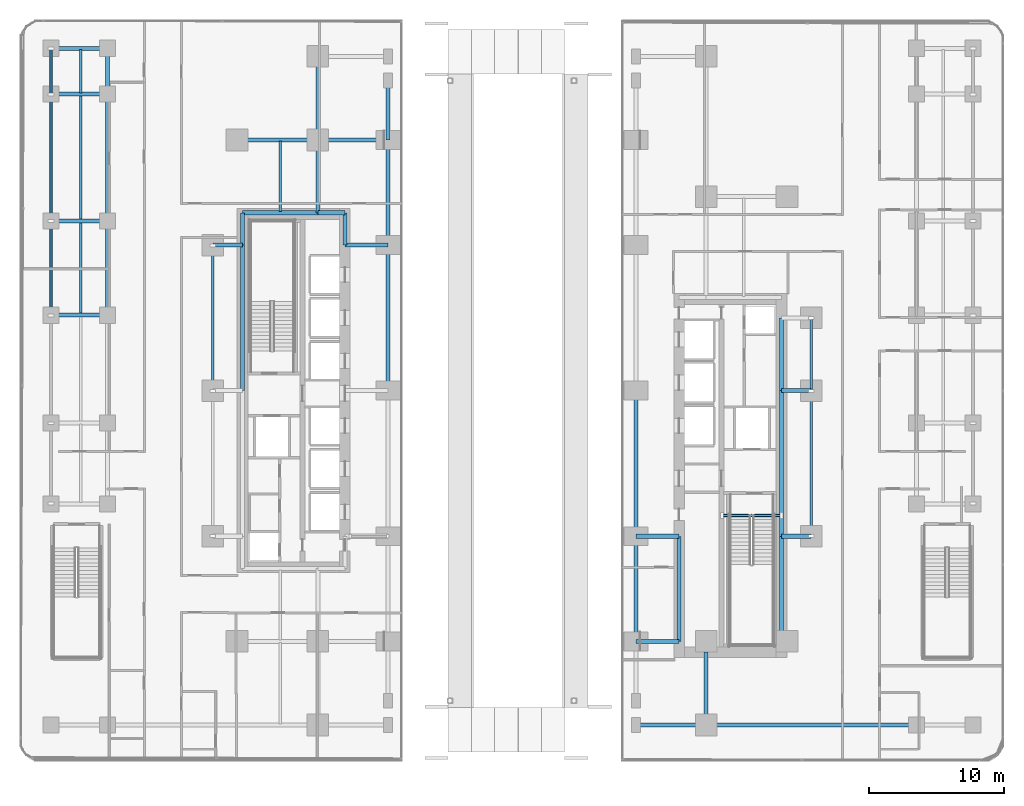
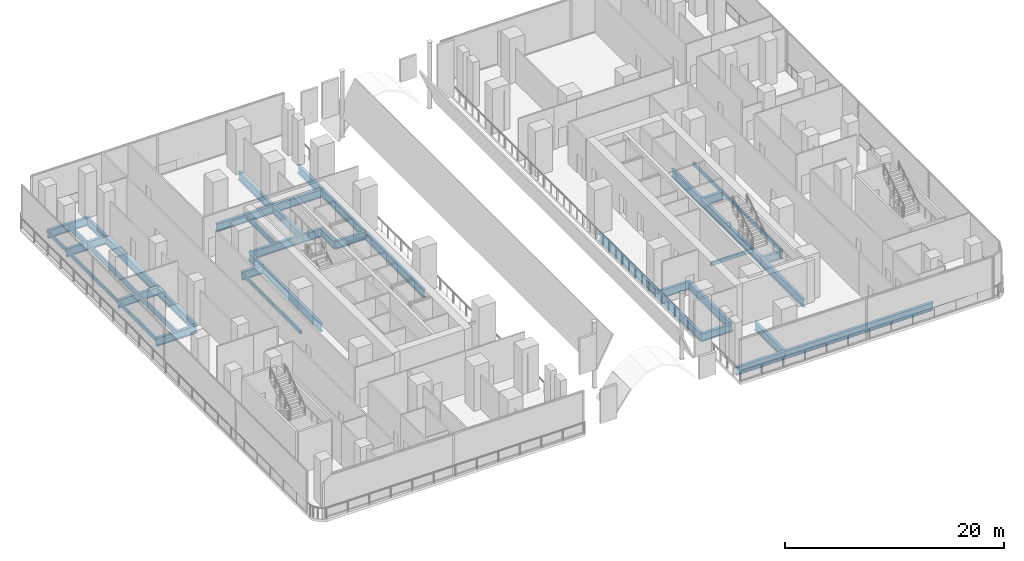
# One storey, part 3 of 31: 45 beams.
"""IFC4 building model written with IfcOpenShell, lengths in metres."""

from ifc_helpers import new_model, si_unit, direction, frame, origin, origin_2d, place, context, subcontext, project, spatial, hollow_rectangle, i_section, extrude, material, material_profile, profile_set, type_object, element, save


model = new_model("IFC4")

# Units and contexts
model_context = context("Model", 3, precision=1e-05, world=origin(), true_north=direction((0.0, 1.0)))
body_context = subcontext(model_context, "Body", "Model", "MODEL_VIEW")
ifc_project = project(units=[si_unit("LENGTHUNIT", "METRE"), si_unit("AREAUNIT", "SQUARE_METRE"), si_unit("VOLUMEUNIT", "CUBIC_METRE"), si_unit("PLANEANGLEUNIT", "RADIAN"), si_unit("MASSUNIT", "GRAM", prefix="KILO")], contexts=[model_context])

# Site, building, storey
site_placement = place(None, origin())
site = spatial("IfcSite", under=ifc_project, at=site_placement, CompositionType="ELEMENT")
building_placement = place(site_placement, origin())
building = spatial("IfcBuilding", under=site, at=building_placement, Name="Khairoan Windgate Tower", CompositionType="ELEMENT")
storey_placement = place(building_placement, frame((0.0, 0.0, 11.0)))
storey = spatial("IfcBuildingStorey", under=building, at=storey_placement, Name="L03", CompositionType="ELEMENT", Elevation=11.0)

# Beams
ifc_material_1 = material(Name="Steel S355", Category="steel")
ifc_material_profile_1 = material_profile(ifc_material_1, i_section(OverallWidth=0.300048828125, OverallDepth=0.89990234375, WebThickness=0.01611328125, FlangeThickness=0.028076171875, FilletRadius=0.028076171875, at=origin_2d()))
ifc_profile_set_1 = profile_set([ifc_material_profile_1], Name="Steel S355")
beam_type_1 = type_object("IfcBeamType", Name="Beam B-G1 H900x300x16x28", PredefinedType="BEAM", material=ifc_profile_set_1)
beam_1_placement = place(storey_placement, frame((9.199951171875, -24.800048828125, -0.75), z_axis=(1.0, 0.0, 0.0), x_axis=(0.0, 1.0, 0.0)))
element("IfcBeam", 1, at=beam_1_placement, inside=storey, type_object=beam_type_1, Name="L03 E-W Primary Girder 04", PredefinedType="BEAM", context=body_context, shape_type="SweptSolid", body=[
    extrude(i_section(OverallWidth=0.300048828125, OverallDepth=0.89990234375, WebThickness=0.01611328125, FlangeThickness=0.028076171875, FilletRadius=0.028076171875, at=origin_2d()), origin(), (0.0, 0.0, 1.0), 5.199951171875),
])
beam_2_placement = place(storey_placement, frame((14.39990234375, -24.800048828125, -0.75), z_axis=(1.0, 0.0, 0.0), x_axis=(0.0, 1.0, 0.0)))
element("IfcBeam", 2, at=beam_2_placement, inside=storey, type_object=beam_type_1, Name="L03 E-W Primary Girder 05", PredefinedType="BEAM", context=body_context, shape_type="SweptSolid", body=[
    extrude(i_section(OverallWidth=0.300048828125, OverallDepth=0.89990234375, WebThickness=0.01611328125, FlangeThickness=0.028076171875, FilletRadius=0.028076171875, at=origin_2d()), origin(), (0.0, 0.0, 1.0), 15.60009765625),
])
for number, where, z_axis, x_axis, name in (
    (3, (9.199951171875, -18.60009765625, -0.75), (1.0, 0.0, 0.0), (0.0, 1.0, 0.0), "L03 E-W Primary Girder 09"),
    (4, (9.199951171875, -10.800048828125, -0.75), (1.0, 0.0, 0.0), (0.0, 1.0, 0.0), "L03 E-W Primary Girder 14"),
):
    element("IfcBeam", number, at=place(storey_placement, frame(where, z_axis=z_axis, x_axis=x_axis)), inside=storey, type_object=beam_type_1, Name=name, PredefinedType="BEAM", context=body_context, shape_type="SweptSolid", body=[
        extrude(i_section(OverallWidth=0.300048828125, OverallDepth=0.89990234375, WebThickness=0.01611328125, FlangeThickness=0.028076171875, FilletRadius=0.028076171875, at=origin_2d()), origin(), (0.0, 0.0, 1.0), 3.199951171875),
    ])
for number, where, z_axis, x_axis, name in (
    (5, (20.0, -10.800048828125, -0.75), (1.0, 0.0, 0.0), (0.0, 1.0, 0.0), "L03 E-W Primary Girder 15"),
    (6, (20.0, 0.0, -0.75), (1.0, 0.0, 0.0), (0.0, 1.0, 0.0), "L03 E-W Primary Girder 22"),
):
    element("IfcBeam", number, at=place(storey_placement, frame(where, z_axis=z_axis, x_axis=x_axis)), inside=storey, type_object=beam_type_1, Name=name, PredefinedType="BEAM", context=body_context, shape_type="SweptSolid", body=[
        extrude(i_section(OverallWidth=0.300048828125, OverallDepth=0.89990234375, WebThickness=0.01611328125, FlangeThickness=0.028076171875, FilletRadius=0.028076171875, at=origin_2d()), origin(), (0.0, 0.0, 1.0), 2.199951171875),
    ])
beam_3_placement = place(storey_placement, frame((-34.199951171875, 5.60009765625, -0.75), z_axis=(1.0, 0.0, 0.0), x_axis=(0.0, 1.0, 0.0)))
element("IfcBeam", 7, at=beam_3_placement, inside=storey, type_object=beam_type_1, Name="L03 E-W Primary Girder 24", PredefinedType="BEAM", context=body_context, shape_type="SweptSolid", body=[
    extrude(i_section(OverallWidth=0.300048828125, OverallDepth=0.89990234375, WebThickness=0.01611328125, FlangeThickness=0.028076171875, FilletRadius=0.028076171875, at=origin_2d()), origin(), (0.0, 0.0, 1.0), 4.199951171875),
])
beam_4_placement = place(storey_placement, frame((-22.199951171875, 10.800048828125, -0.75), z_axis=(1.0, 0.0, 0.0), x_axis=(0.0, 1.0, 0.0)))
element("IfcBeam", 8, at=beam_4_placement, inside=storey, type_object=beam_type_1, Name="L03 E-W Primary Girder 28", PredefinedType="BEAM", context=body_context, shape_type="SweptSolid", body=[
    extrude(i_section(OverallWidth=0.300048828125, OverallDepth=0.89990234375, WebThickness=0.01611328125, FlangeThickness=0.028076171875, FilletRadius=0.028076171875, at=origin_2d()), origin(), (0.0, 0.0, 1.0), 2.199951171875),
])
beam_5_placement = place(storey_placement, frame((-12.39990234375, 10.800048828125, -0.75), z_axis=(1.0, 0.0, 0.0), x_axis=(0.0, 1.0, 0.0)))
element("IfcBeam", 9, at=beam_5_placement, inside=storey, type_object=beam_type_1, Name="L03 E-W Primary Girder 29", PredefinedType="BEAM", context=body_context, shape_type="SweptSolid", body=[
    extrude(i_section(OverallWidth=0.300048828125, OverallDepth=0.89990234375, WebThickness=0.01611328125, FlangeThickness=0.028076171875, FilletRadius=0.028076171875, at=origin_2d()), origin(), (0.0, 0.0, 1.0), 3.199951171875),
])
beam_6_placement = place(storey_placement, frame((-34.199951171875, 12.60009765625, -0.75), z_axis=(1.0, 0.0, 0.0), x_axis=(0.0, 1.0, 0.0)))
element("IfcBeam", 10, at=beam_6_placement, inside=storey, type_object=beam_type_1, Name="L03 E-W Primary Girder 30", PredefinedType="BEAM", context=body_context, shape_type="SweptSolid", body=[
    extrude(i_section(OverallWidth=0.300048828125, OverallDepth=0.89990234375, WebThickness=0.01611328125, FlangeThickness=0.028076171875, FilletRadius=0.028076171875, at=origin_2d()), origin(), (0.0, 0.0, 1.0), 4.199951171875),
])
beam_7_placement = place(storey_placement, frame((-20.0, 13.199951171875, -0.75), z_axis=(1.0, 0.0, 0.0), x_axis=(0.0, 1.0, 0.0)))
element("IfcBeam", 11, at=beam_7_placement, inside=storey, type_object=beam_type_1, Name="L03 E-W Primary Girder 32", PredefinedType="BEAM", context=body_context, shape_type="SweptSolid", body=[
    extrude(i_section(OverallWidth=0.300048828125, OverallDepth=0.89990234375, WebThickness=0.01611328125, FlangeThickness=0.028076171875, FilletRadius=0.028076171875, at=origin_2d()), origin(), (0.0, 0.0, 1.0), 5.60009765625),
])
beam_8_placement = place(storey_placement, frame((-14.39990234375, 13.199951171875, -0.75), z_axis=(1.0, 0.0, 0.0), x_axis=(0.0, 1.0, 0.0)))
element("IfcBeam", 12, at=beam_8_placement, inside=storey, type_object=beam_type_1, Name="L03 E-W Primary Girder 33", PredefinedType="BEAM", context=body_context, shape_type="SweptSolid", body=[
    extrude(i_section(OverallWidth=0.300048828125, OverallDepth=0.89990234375, WebThickness=0.01611328125, FlangeThickness=0.028076171875, FilletRadius=0.028076171875, at=origin_2d()), origin(), (0.0, 0.0, 1.0), 2.0),
])
beam_9_placement = place(storey_placement, frame((-20.39990234375, 18.60009765625, -0.75), z_axis=(1.0, 0.0, 0.0), x_axis=(0.0, 1.0, 0.0)))
element("IfcBeam", 13, at=beam_9_placement, inside=storey, type_object=beam_type_1, Name="L03 E-W Primary Girder 35", PredefinedType="BEAM", context=body_context, shape_type="SweptSolid", body=[
    extrude(i_section(OverallWidth=0.300048828125, OverallDepth=0.89990234375, WebThickness=0.01611328125, FlangeThickness=0.028076171875, FilletRadius=0.028076171875, at=origin_2d()), origin(), (0.0, 0.0, 1.0), 6.0),
])
beam_10_placement = place(storey_placement, frame((-14.39990234375, 18.60009765625, -0.75), z_axis=(1.0, 0.0, 0.0), x_axis=(0.0, 1.0, 0.0)))
element("IfcBeam", 14, at=beam_10_placement, inside=storey, type_object=beam_type_1, Name="L03 E-W Primary Girder 36", PredefinedType="BEAM", context=body_context, shape_type="SweptSolid", body=[
    extrude(i_section(OverallWidth=0.300048828125, OverallDepth=0.89990234375, WebThickness=0.01611328125, FlangeThickness=0.028076171875, FilletRadius=0.028076171875, at=origin_2d()), origin(), (0.0, 0.0, 1.0), 5.199951171875),
])
for number, where, z_axis, x_axis, name in (
    (15, (-34.199951171875, 22.0, -0.75), (1.0, 0.0, 0.0), (0.0, 1.0, 0.0), "L03 E-W Primary Girder 37"),
    (16, (-34.199951171875, 25.39990234375, -0.75), (1.0, 0.0, 0.0), (0.0, 1.0, 0.0), "L03 E-W Primary Girder 41"),
):
    element("IfcBeam", number, at=place(storey_placement, frame(where, z_axis=z_axis, x_axis=x_axis)), inside=storey, type_object=beam_type_1, Name=name, PredefinedType="BEAM", context=body_context, shape_type="SweptSolid", body=[
        extrude(i_section(OverallWidth=0.300048828125, OverallDepth=0.89990234375, WebThickness=0.01611328125, FlangeThickness=0.028076171875, FilletRadius=0.028076171875, at=origin_2d()), origin(), (0.0, 0.0, 1.0), 4.199951171875),
    ])
beam_11_placement = place(storey_placement, frame((-30.0, 5.60009765625, -0.75), z_axis=(0.0, 1.0, 0.0), x_axis=(-1.0, 0.0, 0.0)))
element("IfcBeam", 17, at=beam_11_placement, inside=storey, type_object=beam_type_1, Name="L03 N-S Primary Beam 50", PredefinedType="BEAM", context=body_context, shape_type="SweptSolid", body=[
    extrude(i_section(OverallWidth=0.300048828125, OverallDepth=0.89990234375, WebThickness=0.01611328125, FlangeThickness=0.028076171875, FilletRadius=0.028076171875, at=origin_2d()), origin(), (0.0, 0.0, 1.0), 7.0),
])
beam_12_placement = place(storey_placement, frame((-30.0, 12.60009765625, -0.75), z_axis=(0.0, 1.0, 0.0), x_axis=(-1.0, 0.0, 0.0)))
element("IfcBeam", 18, at=beam_12_placement, inside=storey, type_object=beam_type_1, Name="L03 N-S Primary Beam 51", PredefinedType="BEAM", context=body_context, shape_type="SweptSolid", body=[
    extrude(i_section(OverallWidth=0.300048828125, OverallDepth=0.89990234375, WebThickness=0.01611328125, FlangeThickness=0.028076171875, FilletRadius=0.028076171875, at=origin_2d()), origin(), (0.0, 0.0, 1.0), 9.39990234375),
])
beam_13_placement = place(storey_placement, frame((-30.0, 22.0, -0.75), z_axis=(0.0, 1.0, 0.0), x_axis=(-1.0, 0.0, 0.0)))
element("IfcBeam", 19, at=beam_13_placement, inside=storey, type_object=beam_type_1, Name="L03 N-S Primary Beam 52", PredefinedType="BEAM", context=body_context, shape_type="SweptSolid", body=[
    extrude(i_section(OverallWidth=0.300048828125, OverallDepth=0.89990234375, WebThickness=0.01611328125, FlangeThickness=0.028076171875, FilletRadius=0.028076171875, at=origin_2d()), origin(), (0.0, 0.0, 1.0), 3.39990234375),
])
beam_14_placement = place(storey_placement, frame((-20.0, 0.0, -0.75), z_axis=(0.0, 1.0, 0.0), x_axis=(-1.0, 0.0, 0.0)))
element("IfcBeam", 20, at=beam_14_placement, inside=storey, type_object=beam_type_1, Name="L03 N-S Primary Beam 57", PredefinedType="BEAM", context=body_context, shape_type="SweptSolid", body=[
    extrude(i_section(OverallWidth=0.300048828125, OverallDepth=0.89990234375, WebThickness=0.01611328125, FlangeThickness=0.028076171875, FilletRadius=0.028076171875, at=origin_2d()), origin(), (0.0, 0.0, 1.0), 10.800048828125),
])
beam_15_placement = place(storey_placement, frame((-20.0, 10.800048828125, -0.75), z_axis=(0.0, 1.0, 0.0), x_axis=(-1.0, 0.0, 0.0)))
element("IfcBeam", 21, at=beam_15_placement, inside=storey, type_object=beam_type_1, Name="L03 N-S Primary Beam 58", PredefinedType="BEAM", context=body_context, shape_type="SweptSolid", body=[
    extrude(i_section(OverallWidth=0.300048828125, OverallDepth=0.89990234375, WebThickness=0.01611328125, FlangeThickness=0.028076171875, FilletRadius=0.028076171875, at=origin_2d()), origin(), (0.0, 0.0, 1.0), 2.39990234375),
])
beam_16_placement = place(storey_placement, frame((-14.39990234375, 13.199951171875, -0.75), z_axis=(0.0, 1.0, 0.0), x_axis=(-1.0, 0.0, 0.0)))
element("IfcBeam", 22, at=beam_16_placement, inside=storey, type_object=beam_type_1, Name="L03 N-S Primary Beam 61", PredefinedType="BEAM", context=body_context, shape_type="SweptSolid", body=[
    extrude(i_section(OverallWidth=0.300048828125, OverallDepth=0.89990234375, WebThickness=0.01611328125, FlangeThickness=0.028076171875, FilletRadius=0.028076171875, at=origin_2d()), origin(), (0.0, 0.0, 1.0), 5.400146484375),
])
beam_17_placement = place(storey_placement, frame((-14.39990234375, 18.60009765625, -0.75), z_axis=(0.0, 1.0, 0.0), x_axis=(-1.0, 0.0, 0.0)))
element("IfcBeam", 23, at=beam_17_placement, inside=storey, type_object=beam_type_1, Name="L03 N-S Primary Beam 62", PredefinedType="BEAM", context=body_context, shape_type="SweptSolid", body=[
    extrude(i_section(OverallWidth=0.300048828125, OverallDepth=0.89990234375, WebThickness=0.01611328125, FlangeThickness=0.028076171875, FilletRadius=0.028076171875, at=origin_2d()), origin(), (0.0, 0.0, 1.0), 6.199951171875),
])
beam_18_placement = place(storey_placement, frame((-12.39990234375, 10.800048828125, -0.75), z_axis=(0.0, 1.0, 0.0), x_axis=(-1.0, 0.0, 0.0)))
element("IfcBeam", 24, at=beam_18_placement, inside=storey, type_object=beam_type_1, Name="L03 N-S Primary Beam 64", PredefinedType="BEAM", context=body_context, shape_type="SweptSolid", body=[
    extrude(i_section(OverallWidth=0.300048828125, OverallDepth=0.89990234375, WebThickness=0.01611328125, FlangeThickness=0.028076171875, FilletRadius=0.028076171875, at=origin_2d()), origin(), (0.0, 0.0, 1.0), 2.39990234375),
])
beam_19_placement = place(storey_placement, frame((-9.199951171875, 0.0, -0.75), z_axis=(0.0, 1.0, 0.0), x_axis=(-1.0, 0.0, 0.0)))
element("IfcBeam", 25, at=beam_19_placement, inside=storey, type_object=beam_type_1, Name="L03 N-S Primary Beam 68", PredefinedType="BEAM", context=body_context, shape_type="SweptSolid", body=[
    extrude(i_section(OverallWidth=0.300048828125, OverallDepth=0.89990234375, WebThickness=0.01611328125, FlangeThickness=0.028076171875, FilletRadius=0.028076171875, at=origin_2d()), origin(), (0.0, 0.0, 1.0), 10.800048828125),
])
beam_20_placement = place(storey_placement, frame((-9.199951171875, 10.800048828125, -0.75), z_axis=(0.0, 1.0, 0.0), x_axis=(-1.0, 0.0, 0.0)))
element("IfcBeam", 26, at=beam_20_placement, inside=storey, type_object=beam_type_1, Name="L03 N-S Primary Beam 69", PredefinedType="BEAM", context=body_context, shape_type="SweptSolid", body=[
    extrude(i_section(OverallWidth=0.300048828125, OverallDepth=0.89990234375, WebThickness=0.01611328125, FlangeThickness=0.028076171875, FilletRadius=0.028076171875, at=origin_2d()), origin(), (0.0, 0.0, 1.0), 7.800048828125),
])
beam_21_placement = place(storey_placement, frame((-9.199951171875, 18.60009765625, -0.75), z_axis=(0.0, 1.0, 0.0), x_axis=(-1.0, 0.0, 0.0)))
element("IfcBeam", 27, at=beam_21_placement, inside=storey, type_object=beam_type_1, Name="L03 N-S Primary Beam 70", PredefinedType="BEAM", context=body_context, shape_type="SweptSolid", body=[
    extrude(i_section(OverallWidth=0.300048828125, OverallDepth=0.89990234375, WebThickness=0.01611328125, FlangeThickness=0.028076171875, FilletRadius=0.028076171875, at=origin_2d()), origin(), (0.0, 0.0, 1.0), 4.39990234375),
])
beam_22_placement = place(storey_placement, frame((9.199951171875, -18.60009765625, -0.75), z_axis=(0.0, 1.0, 0.0), x_axis=(-1.0, 0.0, 0.0)))
element("IfcBeam", 28, at=beam_22_placement, inside=storey, type_object=beam_type_1, Name="L03 N-S Primary Beam 72", PredefinedType="BEAM", context=body_context, shape_type="SweptSolid", body=[
    extrude(i_section(OverallWidth=0.300048828125, OverallDepth=0.89990234375, WebThickness=0.01611328125, FlangeThickness=0.028076171875, FilletRadius=0.028076171875, at=origin_2d()), origin(), (0.0, 0.0, 1.0), 7.800048828125),
])
beam_23_placement = place(storey_placement, frame((9.199951171875, -10.800048828125, -0.75), z_axis=(0.0, 1.0, 0.0), x_axis=(-1.0, 0.0, 0.0)))
element("IfcBeam", 29, at=beam_23_placement, inside=storey, type_object=beam_type_1, Name="L03 N-S Primary Beam 73", PredefinedType="BEAM", context=body_context, shape_type="SweptSolid", body=[
    extrude(i_section(OverallWidth=0.300048828125, OverallDepth=0.89990234375, WebThickness=0.01611328125, FlangeThickness=0.028076171875, FilletRadius=0.028076171875, at=origin_2d()), origin(), (0.0, 0.0, 1.0), 10.800048828125),
])
beam_24_placement = place(storey_placement, frame((12.39990234375, -18.60009765625, -0.75), z_axis=(0.0, 1.0, 0.0), x_axis=(-1.0, 0.0, 0.0)))
element("IfcBeam", 30, at=beam_24_placement, inside=storey, type_object=beam_type_1, Name="L03 N-S Primary Beam 77", PredefinedType="BEAM", context=body_context, shape_type="SweptSolid", body=[
    extrude(i_section(OverallWidth=0.300048828125, OverallDepth=0.89990234375, WebThickness=0.01611328125, FlangeThickness=0.028076171875, FilletRadius=0.028076171875, at=origin_2d()), origin(), (0.0, 0.0, 1.0), 7.800048828125),
])
beam_25_placement = place(storey_placement, frame((14.39990234375, -24.800048828125, -0.75), z_axis=(0.0, 1.0, 0.0), x_axis=(-1.0, 0.0, 0.0)))
element("IfcBeam", 31, at=beam_25_placement, inside=storey, type_object=beam_type_1, Name="L03 N-S Primary Beam 78", PredefinedType="BEAM", context=body_context, shape_type="SweptSolid", body=[
    extrude(i_section(OverallWidth=0.300048828125, OverallDepth=0.89990234375, WebThickness=0.01611328125, FlangeThickness=0.028076171875, FilletRadius=0.028076171875, at=origin_2d()), origin(), (0.0, 0.0, 1.0), 5.400146484375),
])
beam_26_placement = place(storey_placement, frame((20.0, -18.60009765625, -0.75), z_axis=(0.0, 1.0, 0.0), x_axis=(-1.0, 0.0, 0.0)))
element("IfcBeam", 32, at=beam_26_placement, inside=storey, type_object=beam_type_1, Name="L03 N-S Primary Beam 81", PredefinedType="BEAM", context=body_context, shape_type="SweptSolid", body=[
    extrude(i_section(OverallWidth=0.300048828125, OverallDepth=0.89990234375, WebThickness=0.01611328125, FlangeThickness=0.028076171875, FilletRadius=0.028076171875, at=origin_2d()), origin(), (0.0, 0.0, 1.0), 7.800048828125),
])
beam_27_placement = place(storey_placement, frame((20.0, -10.800048828125, -0.75), z_axis=(0.0, 1.0, 0.0), x_axis=(-1.0, 0.0, 0.0)))
element("IfcBeam", 33, at=beam_27_placement, inside=storey, type_object=beam_type_1, Name="L03 N-S Primary Beam 82", PredefinedType="BEAM", context=body_context, shape_type="SweptSolid", body=[
    extrude(i_section(OverallWidth=0.300048828125, OverallDepth=0.89990234375, WebThickness=0.01611328125, FlangeThickness=0.028076171875, FilletRadius=0.028076171875, at=origin_2d()), origin(), (0.0, 0.0, 1.0), 10.800048828125),
])
beam_28_placement = place(storey_placement, frame((20.0, 0.0, -0.75), z_axis=(0.0, 1.0, 0.0), x_axis=(-1.0, 0.0, 0.0)))
element("IfcBeam", 34, at=beam_28_placement, inside=storey, type_object=beam_type_1, Name="L03 N-S Primary Beam 83", PredefinedType="BEAM", context=body_context, shape_type="SweptSolid", body=[
    extrude(i_section(OverallWidth=0.300048828125, OverallDepth=0.89990234375, WebThickness=0.01611328125, FlangeThickness=0.028076171875, FilletRadius=0.028076171875, at=origin_2d()), origin(), (0.0, 0.0, 1.0), 5.39990234375),
])
ifc_material_2 = material(Name="Steel S355", Category="steel")
ifc_material_profile_2 = material_profile(ifc_material_2, i_section(OverallWidth=0.199951171875, OverallDepth=0.60009765625, WebThickness=0.010986328125, FlangeThickness=0.01708984375, FilletRadius=0.02197265625, at=origin_2d()))
ifc_profile_set_2 = profile_set([ifc_material_profile_2], Name="Steel S355")
beam_type_2 = type_object("IfcBeamType", Name="Beam J-S1 H600x200x11x17", PredefinedType="JOIST", material=ifc_profile_set_2)
beam_29_placement = place(storey_placement, frame((-32.0, 5.68994140625, -0.60009765625), z_axis=(0.0, 1.0, 0.0), x_axis=(-1.0, 0.0, 0.0)))
element("IfcBeam", 35, at=beam_29_placement, inside=storey, type_object=beam_type_2, Name="L03 Secondary Floor Joist 03", PredefinedType="JOIST", context=body_context, shape_type="SweptSolid", body=[
    extrude(i_section(OverallWidth=0.199951171875, OverallDepth=0.60009765625, WebThickness=0.010986328125, FlangeThickness=0.01708984375, FilletRadius=0.02197265625, at=origin_2d()), origin(), (0.0, 0.0, 1.0), 6.820068359375),
])
beam_30_placement = place(storey_placement, frame((-32.0, 12.68994140625, -0.60009765625), z_axis=(0.0, 1.0, 0.0), x_axis=(-1.0, 0.0, 0.0)))
element("IfcBeam", 36, at=beam_30_placement, inside=storey, type_object=beam_type_2, Name="L03 Secondary Floor Joist 04", PredefinedType="JOIST", context=body_context, shape_type="SweptSolid", body=[
    extrude(i_section(OverallWidth=0.199951171875, OverallDepth=0.60009765625, WebThickness=0.010986328125, FlangeThickness=0.01708984375, FilletRadius=0.02197265625, at=origin_2d()), origin(), (0.0, 0.0, 1.0), 9.219970703125),
])
beam_31_placement = place(storey_placement, frame((-32.0, 22.090087890625, -0.60009765625), z_axis=(0.0, 1.0, 0.0), x_axis=(-1.0, 0.0, 0.0)))
element("IfcBeam", 37, at=beam_31_placement, inside=storey, type_object=beam_type_2, Name="L03 Secondary Floor Joist 05", PredefinedType="JOIST", context=body_context, shape_type="SweptSolid", body=[
    extrude(i_section(OverallWidth=0.199951171875, OverallDepth=0.60009765625, WebThickness=0.010986328125, FlangeThickness=0.01708984375, FilletRadius=0.02197265625, at=origin_2d()), origin(), (0.0, 0.0, 1.0), 3.219970703125),
])
beam_32_placement = place(storey_placement, frame((-17.199951171875, 13.2900390625, -0.60009765625), z_axis=(0.0, 1.0, 0.0), x_axis=(-1.0, 0.0, 0.0)))
element("IfcBeam", 38, at=beam_32_placement, inside=storey, type_object=beam_type_2, Name="L03 Secondary Floor Joist 08", PredefinedType="JOIST", context=body_context, shape_type="SweptSolid", body=[
    extrude(i_section(OverallWidth=0.199951171875, OverallDepth=0.60009765625, WebThickness=0.010986328125, FlangeThickness=0.01708984375, FilletRadius=0.02197265625, at=origin_2d()), origin(), (0.0, 0.0, 1.0), 5.219970703125),
])
ifc_material_3 = material(Name="Steel S355", Category="steel")
ifc_material_profile_3 = material_profile(ifc_material_3, hollow_rectangle(XDim=0.199951171875, YDim=0.39990234375, WallThickness=0.013916015625, InnerFilletRadius=0.013916015625, OuterFilletRadius=0.028076171875, at=origin_2d()))
ifc_profile_set_3 = profile_set([ifc_material_profile_3], Name="Steel S355")
beam_type_3 = type_object("IfcBeamType", Name="Beam SP-B1 RHS400x200x14", PredefinedType="SPANDREL", material=ifc_profile_set_3)
beam_33_placement = place(storey_placement, frame((-34.199951171875, 5.60009765625, -0.5), z_axis=(0.0, 1.0, 0.0), x_axis=(-1.0, 0.0, 0.0)))
element("IfcBeam", 39, at=beam_33_placement, inside=storey, type_object=beam_type_3, Name="L03 Spandrel Beam 45", PredefinedType="SPANDREL", context=body_context, shape_type="SweptSolid", body=[
    extrude(hollow_rectangle(XDim=0.199951171875, YDim=0.39990234375, WallThickness=0.013916015625, InnerFilletRadius=0.013916015625, OuterFilletRadius=0.028076171875, at=origin_2d()), origin(), (0.0, 0.0, 1.0), 7.0),
])
beam_34_placement = place(storey_placement, frame((-34.199951171875, 12.60009765625, -0.5), z_axis=(0.0, 1.0, 0.0), x_axis=(-1.0, 0.0, 0.0)))
element("IfcBeam", 40, at=beam_34_placement, inside=storey, type_object=beam_type_3, Name="L03 Spandrel Beam 46", PredefinedType="SPANDREL", context=body_context, shape_type="SweptSolid", body=[
    extrude(hollow_rectangle(XDim=0.199951171875, YDim=0.39990234375, WallThickness=0.013916015625, InnerFilletRadius=0.013916015625, OuterFilletRadius=0.028076171875, at=origin_2d()), origin(), (0.0, 0.0, 1.0), 9.39990234375),
])
beam_35_placement = place(storey_placement, frame((-34.199951171875, 22.0, -0.5), z_axis=(0.0, 1.0, 0.0), x_axis=(-1.0, 0.0, 0.0)))
element("IfcBeam", 41, at=beam_35_placement, inside=storey, type_object=beam_type_3, Name="L03 Spandrel Beam 47", PredefinedType="SPANDREL", context=body_context, shape_type="SweptSolid", body=[
    extrude(hollow_rectangle(XDim=0.199951171875, YDim=0.39990234375, WallThickness=0.013916015625, InnerFilletRadius=0.013916015625, OuterFilletRadius=0.028076171875, at=origin_2d()), origin(), (0.0, 0.0, 1.0), 3.39990234375),
])
for number, where, z_axis, x_axis, name in (
    (42, (-22.199951171875, 0.0, -0.5), (0.0, 1.0, 0.0), (-1.0, 0.0, 0.0), "L03 Spandrel Beam 54"),
    (43, (22.199951171875, -10.800048828125, -0.5), (0.0, 1.0, 0.0), (-1.0, 0.0, 0.0), "L03 Spandrel Beam 84"),
):
    element("IfcBeam", number, at=place(storey_placement, frame(where, z_axis=z_axis, x_axis=x_axis)), inside=storey, type_object=beam_type_3, Name=name, PredefinedType="SPANDREL", context=body_context, shape_type="SweptSolid", body=[
        extrude(hollow_rectangle(XDim=0.199951171875, YDim=0.39990234375, WallThickness=0.013916015625, InnerFilletRadius=0.013916015625, OuterFilletRadius=0.028076171875, at=origin_2d()), origin(), (0.0, 0.0, 1.0), 10.800048828125),
    ])
beam_36_placement = place(storey_placement, frame((22.199951171875, 0.0, -0.5), z_axis=(0.0, 1.0, 0.0), x_axis=(-1.0, 0.0, 0.0)))
element("IfcBeam", 44, at=beam_36_placement, inside=storey, type_object=beam_type_3, Name="L03 Spandrel Beam 85", PredefinedType="SPANDREL", context=body_context, shape_type="SweptSolid", body=[
    extrude(hollow_rectangle(XDim=0.199951171875, YDim=0.39990234375, WallThickness=0.013916015625, InnerFilletRadius=0.013916015625, OuterFilletRadius=0.028076171875, at=origin_2d()), origin(), (0.0, 0.0, 1.0), 5.39990234375),
])
beam_37_placement = place(storey_placement, frame((15.550048828125, -9.260009765625, -0.5), z_axis=(1.0, 0.0, 0.0), x_axis=(0.0, 1.0, 0.0)))
element("IfcBeam", 45, at=beam_37_placement, inside=storey, type_object=beam_type_3, Name="Stair ST1 Landing Trimmer Beam L03", PredefinedType="SPANDREL", context=body_context, shape_type="SweptSolid", body=[
    extrude(hollow_rectangle(XDim=0.199951171875, YDim=0.39990234375, WallThickness=0.013916015625, InnerFilletRadius=0.013916015625, OuterFilletRadius=0.028076171875, at=origin_2d()), origin(), (0.0, 0.0, 1.0), 4.449951171875),
])

save(model, "model.ifc")
